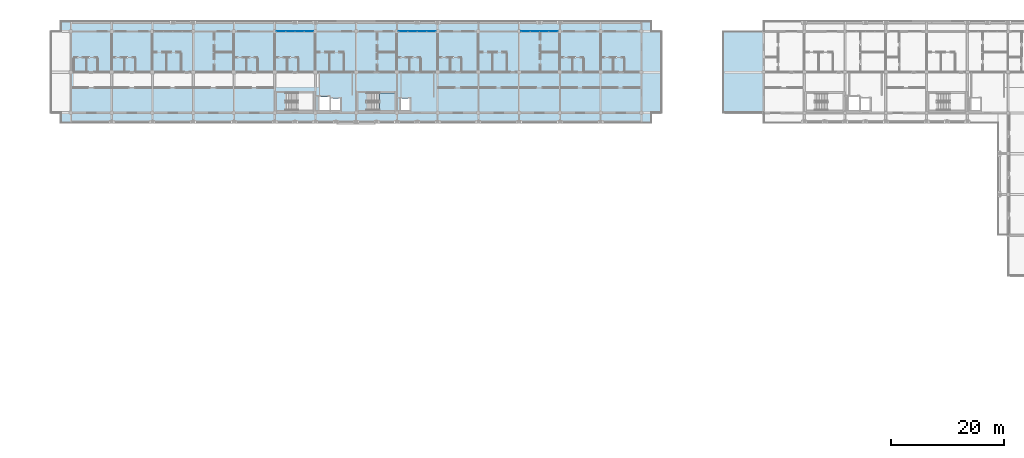
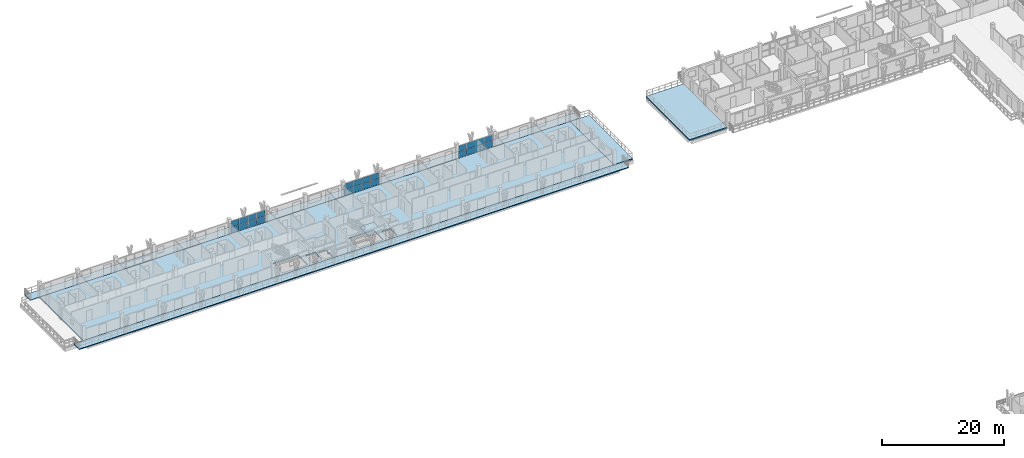
# One storey, part 30 of 73: 24 plates, 6 slabs, 4 elements without a shape of their own.
"""IFC4 building model written with IfcOpenShell, lengths in metres."""

from ifc_helpers import new_model, si_unit, direction, frame, origin, origin_2d, place, context, subcontext, project, spatial, polyline, rectangle, outline, extrude, material, layer, layer_set, type_object, element, aggregate, save


model = new_model("IFC4")

# Units and contexts
model_context = context("Model", 3, precision=1e-05, world=origin(), true_north=direction((0.0, 1.0)))
body_context = subcontext(model_context, "Body", "Model", "MODEL_VIEW")
ifc_project = project(units=[si_unit("LENGTHUNIT", "METRE"), si_unit("AREAUNIT", "SQUARE_METRE"), si_unit("VOLUMEUNIT", "CUBIC_METRE"), si_unit("PLANEANGLEUNIT", "RADIAN"), si_unit("MASSUNIT", "GRAM", prefix="KILO")], contexts=[model_context])

# Site, building, storey
site_placement = place(None, origin())
site = spatial("IfcSite", under=ifc_project, at=site_placement, CompositionType="ELEMENT")
building_placement = place(site_placement, origin())
building = spatial("IfcBuilding", under=site, at=building_placement, Name="Suanplinth Sawtooth Commons", CompositionType="ELEMENT")
storey_placement = place(building_placement, frame((0.0, 0.0, 21.89990234375)))
storey = spatial("IfcBuildingStorey", under=building, at=storey_placement, Name="L06", CompositionType="ELEMENT", Elevation=21.89990234375)

# Curtain wall, plates
ifc_material_1 = material(Name="Anodized aluminium and low-E glazing", Category="aluminium")
curtain_wall_type = type_object("IfcCurtainWallType", Name="CW-06", PredefinedType="USERDEFINED", material=ifc_material_1)
curtain_wall_1_placement = place(storey_placement, origin())
curtain_wall_1 = element("IfcCurtainWall", 1, at=curtain_wall_1_placement, inside=storey, type_object=curtain_wall_type, Name="Curtain Wall CW-L06-A-LOUNGE-5", ObjectType="CURTAIN WALL", PredefinedType="USERDEFINED")
ifc_material_2 = material(Name="Tempered low-E double glazing", Category="glass")
ifc_layer_1 = layer(ifc_material_2, 0.028076171875, Name="Vision low-E insulated glazing unit 28mm")
ifc_layer_set_1 = layer_set([ifc_layer_1], Name="Tempered low-E double glazing")
plate_type = type_object("IfcPlateType", Name="PL-05", PredefinedType="CURTAIN_PANEL", material=ifc_layer_set_1)
plate_1_placement = place(storey_placement, frame((44.34130859375, 122.39990234375, 0.065185546875), z_axis=(0.0, 0.0, 1.0), x_axis=(1.0, 0.0, 0.0)))
plate_1 = element("IfcPlate", 2, at=plate_1_placement, type_object=plate_type, Name="CW-06 panel 1.1", PredefinedType="CURTAIN_PANEL", context=body_context, shape_type="SweptSolid", body=[
    extrude(rectangle(XDim=1.552490234375, YDim=0.028076171875, at=origin_2d()), origin(), (0.0, 0.0, 1.0), 1.16748046875),
])
plate_2_placement = place(storey_placement, frame((44.34130859375, 122.39990234375, 1.297607421875), z_axis=(0.0, 0.0, 1.0), x_axis=(1.0, 0.0, 0.0)))
plate_2 = element("IfcPlate", 3, at=plate_2_placement, type_object=plate_type, Name="CW-06 panel 1.2", PredefinedType="CURTAIN_PANEL", context=body_context, shape_type="SweptSolid", body=[
    extrude(rectangle(XDim=1.552490234375, YDim=0.028076171875, at=origin_2d()), origin(), (0.0, 0.0, 1.0), 1.16748046875),
])
plate_3_placement = place(storey_placement, frame((45.97509765625, 122.39990234375, 0.065185546875), z_axis=(0.0, 0.0, 1.0), x_axis=(1.0, 0.0, 0.0)))
plate_3 = element("IfcPlate", 4, at=plate_3_placement, type_object=plate_type, Name="CW-06 panel 2.1", PredefinedType="CURTAIN_PANEL", context=body_context, shape_type="SweptSolid", body=[
    extrude(rectangle(XDim=1.5849609375, YDim=0.028076171875, at=origin_2d()), origin(), (0.0, 0.0, 1.0), 1.16748046875),
])
plate_4_placement = place(storey_placement, frame((45.97509765625, 122.39990234375, 1.297607421875), z_axis=(0.0, 0.0, 1.0), x_axis=(1.0, 0.0, 0.0)))
plate_4 = element("IfcPlate", 5, at=plate_4_placement, type_object=plate_type, Name="CW-06 panel 2.2", PredefinedType="CURTAIN_PANEL", context=body_context, shape_type="SweptSolid", body=[
    extrude(rectangle(XDim=1.5849609375, YDim=0.028076171875, at=origin_2d()), origin(), (0.0, 0.0, 1.0), 1.16748046875),
])
plate_5_placement = place(storey_placement, frame((47.625, 122.39990234375, 0.065185546875), z_axis=(0.0, 0.0, 1.0), x_axis=(1.0, 0.0, 0.0)))
plate_5 = element("IfcPlate", 6, at=plate_5_placement, type_object=plate_type, Name="CW-06 panel 3.1", PredefinedType="CURTAIN_PANEL", context=body_context, shape_type="SweptSolid", body=[
    extrude(rectangle(XDim=1.5849609375, YDim=0.028076171875, at=origin_2d()), origin(), (0.0, 0.0, 1.0), 1.16748046875),
])
plate_6_placement = place(storey_placement, frame((47.625, 122.39990234375, 1.297607421875), z_axis=(0.0, 0.0, 1.0), x_axis=(1.0, 0.0, 0.0)))
plate_6 = element("IfcPlate", 7, at=plate_6_placement, type_object=plate_type, Name="CW-06 panel 3.2", PredefinedType="CURTAIN_PANEL", context=body_context, shape_type="SweptSolid", body=[
    extrude(rectangle(XDim=1.5849609375, YDim=0.028076171875, at=origin_2d()), origin(), (0.0, 0.0, 1.0), 1.16748046875),
])
plate_7_placement = place(storey_placement, frame((49.2587890625, 122.39990234375, 0.065185546875), z_axis=(0.0, 0.0, 1.0), x_axis=(1.0, 0.0, 0.0)))
plate_7 = element("IfcPlate", 8, at=plate_7_placement, type_object=plate_type, Name="CW-06 panel 4.1", PredefinedType="CURTAIN_PANEL", context=body_context, shape_type="SweptSolid", body=[
    extrude(rectangle(XDim=1.552490234375, YDim=0.028076171875, at=origin_2d()), origin(), (0.0, 0.0, 1.0), 1.16748046875),
])
plate_8_placement = place(storey_placement, frame((49.2587890625, 122.39990234375, 1.297607421875), z_axis=(0.0, 0.0, 1.0), x_axis=(1.0, 0.0, 0.0)))
plate_8 = element("IfcPlate", 9, at=plate_8_placement, type_object=plate_type, Name="CW-06 panel 4.2", PredefinedType="CURTAIN_PANEL", context=body_context, shape_type="SweptSolid", body=[
    extrude(rectangle(XDim=1.552490234375, YDim=0.028076171875, at=origin_2d()), origin(), (0.0, 0.0, 1.0), 1.16748046875),
])
aggregate(curtain_wall_1, [plate_1, plate_2, plate_3, plate_4, plate_5, plate_6, plate_7, plate_8])

curtain_wall_2_placement = place(storey_placement, origin())
curtain_wall_2 = element("IfcCurtainWall", 10, at=curtain_wall_2_placement, inside=storey, type_object=curtain_wall_type, Name="Curtain Wall CW-L06-A-LOUNGE-8", ObjectType="CURTAIN WALL", PredefinedType="USERDEFINED")
plate_9_placement = place(storey_placement, frame((65.941162109375, 122.39990234375, 0.065185546875), z_axis=(0.0, 0.0, 1.0), x_axis=(1.0, 0.0, 0.0)))
plate_9 = element("IfcPlate", 11, at=plate_9_placement, type_object=plate_type, Name="CW-06 panel 1.1", PredefinedType="CURTAIN_PANEL", context=body_context, shape_type="SweptSolid", body=[
    extrude(rectangle(XDim=1.552490234375, YDim=0.028076171875, at=origin_2d()), origin(), (0.0, 0.0, 1.0), 1.16748046875),
])
plate_10_placement = place(storey_placement, frame((65.941162109375, 122.39990234375, 1.297607421875), z_axis=(0.0, 0.0, 1.0), x_axis=(1.0, 0.0, 0.0)))
plate_10 = element("IfcPlate", 12, at=plate_10_placement, type_object=plate_type, Name="CW-06 panel 1.2", PredefinedType="CURTAIN_PANEL", context=body_context, shape_type="SweptSolid", body=[
    extrude(rectangle(XDim=1.552490234375, YDim=0.028076171875, at=origin_2d()), origin(), (0.0, 0.0, 1.0), 1.16748046875),
])
plate_11_placement = place(storey_placement, frame((67.574951171875, 122.39990234375, 0.065185546875), z_axis=(0.0, 0.0, 1.0), x_axis=(1.0, 0.0, 0.0)))
plate_11 = element("IfcPlate", 13, at=plate_11_placement, type_object=plate_type, Name="CW-06 panel 2.1", PredefinedType="CURTAIN_PANEL", context=body_context, shape_type="SweptSolid", body=[
    extrude(rectangle(XDim=1.5849609375, YDim=0.028076171875, at=origin_2d()), origin(), (0.0, 0.0, 1.0), 1.16748046875),
])
plate_12_placement = place(storey_placement, frame((67.574951171875, 122.39990234375, 1.297607421875), z_axis=(0.0, 0.0, 1.0), x_axis=(1.0, 0.0, 0.0)))
plate_12 = element("IfcPlate", 14, at=plate_12_placement, type_object=plate_type, Name="CW-06 panel 2.2", PredefinedType="CURTAIN_PANEL", context=body_context, shape_type="SweptSolid", body=[
    extrude(rectangle(XDim=1.5849609375, YDim=0.028076171875, at=origin_2d()), origin(), (0.0, 0.0, 1.0), 1.16748046875),
])
plate_13_placement = place(storey_placement, frame((69.22509765625, 122.39990234375, 0.065185546875), z_axis=(0.0, 0.0, 1.0), x_axis=(1.0, 0.0, 0.0)))
plate_13 = element("IfcPlate", 15, at=plate_13_placement, type_object=plate_type, Name="CW-06 panel 3.1", PredefinedType="CURTAIN_PANEL", context=body_context, shape_type="SweptSolid", body=[
    extrude(rectangle(XDim=1.5849609375, YDim=0.028076171875, at=origin_2d()), origin(), (0.0, 0.0, 1.0), 1.16748046875),
])
plate_14_placement = place(storey_placement, frame((69.22509765625, 122.39990234375, 1.297607421875), z_axis=(0.0, 0.0, 1.0), x_axis=(1.0, 0.0, 0.0)))
plate_14 = element("IfcPlate", 16, at=plate_14_placement, type_object=plate_type, Name="CW-06 panel 3.2", PredefinedType="CURTAIN_PANEL", context=body_context, shape_type="SweptSolid", body=[
    extrude(rectangle(XDim=1.5849609375, YDim=0.028076171875, at=origin_2d()), origin(), (0.0, 0.0, 1.0), 1.16748046875),
])
plate_15_placement = place(storey_placement, frame((70.858642578125, 122.39990234375, 0.065185546875), z_axis=(0.0, 0.0, 1.0), x_axis=(1.0, 0.0, 0.0)))
plate_15 = element("IfcPlate", 17, at=plate_15_placement, type_object=plate_type, Name="CW-06 panel 4.1", PredefinedType="CURTAIN_PANEL", context=body_context, shape_type="SweptSolid", body=[
    extrude(rectangle(XDim=1.552490234375, YDim=0.028076171875, at=origin_2d()), origin(), (0.0, 0.0, 1.0), 1.16748046875),
])
plate_16_placement = place(storey_placement, frame((70.858642578125, 122.39990234375, 1.297607421875), z_axis=(0.0, 0.0, 1.0), x_axis=(1.0, 0.0, 0.0)))
plate_16 = element("IfcPlate", 18, at=plate_16_placement, type_object=plate_type, Name="CW-06 panel 4.2", PredefinedType="CURTAIN_PANEL", context=body_context, shape_type="SweptSolid", body=[
    extrude(rectangle(XDim=1.552490234375, YDim=0.028076171875, at=origin_2d()), origin(), (0.0, 0.0, 1.0), 1.16748046875),
])
aggregate(curtain_wall_2, [plate_9, plate_10, plate_11, plate_12, plate_13, plate_14, plate_15, plate_16])

curtain_wall_3_placement = place(storey_placement, origin())
curtain_wall_3 = element("IfcCurtainWall", 19, at=curtain_wall_3_placement, inside=storey, type_object=curtain_wall_type, Name="Curtain Wall CW-L06-A-LOUNGE-11", ObjectType="CURTAIN WALL", PredefinedType="USERDEFINED")
plate_17_placement = place(storey_placement, frame((87.541259765625, 122.39990234375, 0.065185546875), z_axis=(0.0, 0.0, 1.0), x_axis=(1.0, 0.0, 0.0)))
plate_17 = element("IfcPlate", 20, at=plate_17_placement, type_object=plate_type, Name="CW-06 panel 1.1", PredefinedType="CURTAIN_PANEL", context=body_context, shape_type="SweptSolid", body=[
    extrude(rectangle(XDim=1.552490234375, YDim=0.028076171875, at=origin_2d()), origin(), (0.0, 0.0, 1.0), 1.16748046875),
])
plate_18_placement = place(storey_placement, frame((87.541259765625, 122.39990234375, 1.297607421875), z_axis=(0.0, 0.0, 1.0), x_axis=(1.0, 0.0, 0.0)))
plate_18 = element("IfcPlate", 21, at=plate_18_placement, type_object=plate_type, Name="CW-06 panel 1.2", PredefinedType="CURTAIN_PANEL", context=body_context, shape_type="SweptSolid", body=[
    extrude(rectangle(XDim=1.552490234375, YDim=0.028076171875, at=origin_2d()), origin(), (0.0, 0.0, 1.0), 1.16748046875),
])
plate_19_placement = place(storey_placement, frame((89.175048828125, 122.39990234375, 0.065185546875), z_axis=(0.0, 0.0, 1.0), x_axis=(1.0, 0.0, 0.0)))
plate_19 = element("IfcPlate", 22, at=plate_19_placement, type_object=plate_type, Name="CW-06 panel 2.1", PredefinedType="CURTAIN_PANEL", context=body_context, shape_type="SweptSolid", body=[
    extrude(rectangle(XDim=1.5849609375, YDim=0.028076171875, at=origin_2d()), origin(), (0.0, 0.0, 1.0), 1.16748046875),
])
plate_20_placement = place(storey_placement, frame((89.175048828125, 122.39990234375, 1.297607421875), z_axis=(0.0, 0.0, 1.0), x_axis=(1.0, 0.0, 0.0)))
plate_20 = element("IfcPlate", 23, at=plate_20_placement, type_object=plate_type, Name="CW-06 panel 2.2", PredefinedType="CURTAIN_PANEL", context=body_context, shape_type="SweptSolid", body=[
    extrude(rectangle(XDim=1.5849609375, YDim=0.028076171875, at=origin_2d()), origin(), (0.0, 0.0, 1.0), 1.16748046875),
])
plate_21_placement = place(storey_placement, frame((90.824951171875, 122.39990234375, 0.065185546875), z_axis=(0.0, 0.0, 1.0), x_axis=(1.0, 0.0, 0.0)))
plate_21 = element("IfcPlate", 24, at=plate_21_placement, type_object=plate_type, Name="CW-06 panel 3.1", PredefinedType="CURTAIN_PANEL", context=body_context, shape_type="SweptSolid", body=[
    extrude(rectangle(XDim=1.5849609375, YDim=0.028076171875, at=origin_2d()), origin(), (0.0, 0.0, 1.0), 1.16748046875),
])
plate_22_placement = place(storey_placement, frame((90.824951171875, 122.39990234375, 1.297607421875), z_axis=(0.0, 0.0, 1.0), x_axis=(1.0, 0.0, 0.0)))
plate_22 = element("IfcPlate", 25, at=plate_22_placement, type_object=plate_type, Name="CW-06 panel 3.2", PredefinedType="CURTAIN_PANEL", context=body_context, shape_type="SweptSolid", body=[
    extrude(rectangle(XDim=1.5849609375, YDim=0.028076171875, at=origin_2d()), origin(), (0.0, 0.0, 1.0), 1.16748046875),
])
plate_23_placement = place(storey_placement, frame((92.458740234375, 122.39990234375, 0.065185546875), z_axis=(0.0, 0.0, 1.0), x_axis=(1.0, 0.0, 0.0)))
plate_23 = element("IfcPlate", 26, at=plate_23_placement, type_object=plate_type, Name="CW-06 panel 4.1", PredefinedType="CURTAIN_PANEL", context=body_context, shape_type="SweptSolid", body=[
    extrude(rectangle(XDim=1.552490234375, YDim=0.028076171875, at=origin_2d()), origin(), (0.0, 0.0, 1.0), 1.16748046875),
])
plate_24_placement = place(storey_placement, frame((92.458740234375, 122.39990234375, 1.297607421875), z_axis=(0.0, 0.0, 1.0), x_axis=(1.0, 0.0, 0.0)))
plate_24 = element("IfcPlate", 27, at=plate_24_placement, type_object=plate_type, Name="CW-06 panel 4.2", PredefinedType="CURTAIN_PANEL", context=body_context, shape_type="SweptSolid", body=[
    extrude(rectangle(XDim=1.552490234375, YDim=0.028076171875, at=origin_2d()), origin(), (0.0, 0.0, 1.0), 1.16748046875),
])
aggregate(curtain_wall_3, [plate_17, plate_18, plate_19, plate_20, plate_21, plate_22, plate_23, plate_24])

# Slabs
ifc_material_3 = material(Name="Precast concrete C40/50", Category="concrete")
ifc_layer_2 = layer(ifc_material_3, 0.179931640625, Name="Wrap-around cantilevered precast balcony slab 180mm")
ifc_layer_set_2 = layer_set([ifc_layer_2], Name="Precast concrete C40/50")
slab_type_1 = type_object("IfcSlabType", Name="S-BL01", PredefinedType="FLOOR", material=ifc_layer_set_2)
slab_1_placement = place(storey_placement, frame((0.0, 0.0, -0.179931640625)))
element("IfcSlab", 28, at=slab_1_placement, inside=storey, type_object=slab_type_1, Name="L06 Block A Wrap-Around Balcony N", PredefinedType="FLOOR", context=body_context, shape_type="SweptSolid", body=[
    extrude(outline(polyline([(5.39990234375, 124.199951171875), (109.800048828125, 124.199951171875), (109.800048828125, 122.39990234375), (5.39990234375, 122.39990234375), (5.39990234375, 124.199951171875)])), origin(), (0.0, 0.0, 1.0), 0.179931640625),
])
slab_2_placement = place(storey_placement, frame((0.0, 0.0, -0.179931640625)))
element("IfcSlab", 29, at=slab_2_placement, inside=storey, type_object=slab_type_1, Name="L06 Block A Wrap-Around Balcony S", PredefinedType="FLOOR", context=body_context, shape_type="SweptSolid", body=[
    extrude(outline(polyline([(109.800048828125, 106.199951171875), (5.39990234375, 106.199951171875), (5.39990234375, 108.0), (109.800048828125, 108.0), (109.800048828125, 106.199951171875)])), origin(), (0.0, 0.0, 1.0), 0.179931640625),
])
ifc_layer_3 = layer(ifc_material_3, 0.239990234375, Name="Precast hollow-core + topping floor slab 240mm")
ifc_layer_set_3 = layer_set([ifc_layer_3], Name="Precast concrete C40/50")
slab_type_2 = type_object("IfcSlabType", Name="S-FL02", PredefinedType="FLOOR", material=ifc_layer_set_3)
slab_3_placement = place(storey_placement, frame((0.0, 0.0, -0.239990234375)))
element("IfcSlab", 30, at=slab_3_placement, inside=storey, type_object=slab_type_2, Name="L06 Block A Structural Floor Plate", PredefinedType="FLOOR", context=body_context, shape_type="SweptSolid", body=[
    extrude(outline(polyline([(7.199951171875, 108.0), (108.0, 108.0), (108.0, 122.39990234375), (7.199951171875, 122.39990234375), (7.199951171875, 108.0)]), holes=[polyline([(45.2900390625, 108.449951171875), (50.050048828125, 108.449951171875), (50.050048828125, 111.550048828125), (45.2900390625, 111.550048828125), (45.2900390625, 108.449951171875)]), polyline([(51.050048828125, 108.449951171875), (52.85009765625, 108.449951171875), (52.85009765625, 110.85009765625), (51.050048828125, 110.85009765625), (51.050048828125, 108.449951171875)]), polyline([(53.199951171875, 108.449951171875), (54.800048828125, 108.449951171875), (54.800048828125, 110.550048828125), (53.199951171875, 110.550048828125), (53.199951171875, 108.449951171875)]), polyline([(59.68994140625, 108.449951171875), (64.449951171875, 108.449951171875), (64.449951171875, 111.550048828125), (59.68994140625, 111.550048828125), (59.68994140625, 108.449951171875)]), polyline([(65.449951171875, 108.449951171875), (67.050048828125, 108.449951171875), (67.050048828125, 110.550048828125), (65.449951171875, 110.550048828125), (65.449951171875, 108.449951171875)])]), origin(), (0.0, 0.0, 1.0), 0.239990234375),
])

# Stair, slab
ifc_material_4 = material(Name="Concrete C40/50", Category="concrete")
stair_type = type_object("IfcStairType", Name="ST-03", PredefinedType="USERDEFINED", material=ifc_material_4)
stair_placement = place(storey_placement, origin())
stair = element("IfcStair", 31, at=stair_placement, inside=storey, type_object=stair_type, Name="L06 Exit Stair ST-N2", ObjectType="TWO_RETURN_STAIR", PredefinedType="USERDEFINED")
ifc_layer_4 = layer(ifc_material_4, 0.199951171875, Name="Reinforced concrete stair and ramp landing slab 200mm")
ifc_layer_set_4 = layer_set([ifc_layer_4], Name="Concrete C40/50")
slab_type_3 = type_object("IfcSlabType", Name="S-LD01", PredefinedType="LANDING", material=ifc_layer_set_4)
slab_4_placement = place(storey_placement, frame((0.0, 0.0, 1.400146484375)))
slab_4 = element("IfcSlab", 32, at=slab_4_placement, type_object=slab_type_3, Name="ST-03 landing 1", PredefinedType="LANDING", context=body_context, shape_type="SweptSolid", body=[
    extrude(outline(polyline([(61.72998046875, 108.449951171875), (64.449951171875, 108.449951171875), (64.449951171875, 111.550048828125), (61.72998046875, 111.550048828125), (61.72998046875, 108.449951171875)])), origin(), (0.0, 0.0, 1.0), 0.199951171875),
])
aggregate(stair, [slab_4])

# Slabs
ifc_layer_5 = layer(ifc_material_4, 0.239990234375, Name="Stepped sky-terrace & courtyard garden slab 240mm")
ifc_layer_set_5 = layer_set([ifc_layer_5], Name="Concrete C40/50")
slab_type_4 = type_object("IfcSlabType", Name="S-TR01", PredefinedType="FLOOR", material=ifc_layer_set_5)
slab_5_placement = place(storey_placement, frame((0.0, 0.0, -0.239990234375)))
element("IfcSlab", 33, at=slab_5_placement, inside=storey, type_object=slab_type_4, Name="L06 Block A Stepped Sky-Terrace 2", PredefinedType="FLOOR", context=body_context, shape_type="SweptSolid", body=[
    extrude(outline(polyline([(111.60009765625, 122.39990234375), (111.60009765625, 108.0), (108.0, 108.0), (108.0, 122.39990234375), (111.60009765625, 122.39990234375)])), origin(), (0.0, 0.0, 1.0), 0.239990234375),
])
slab_6_placement = place(storey_placement, frame((0.0, 0.0, -0.239990234375)))
element("IfcSlab", 34, at=slab_6_placement, inside=storey, type_object=slab_type_4, Name="L06 Block B Stepped Sky-Terrace 1", PredefinedType="FLOOR", context=body_context, shape_type="SweptSolid", body=[
    extrude(outline(polyline([(122.39990234375, 108.0), (122.39990234375, 122.39990234375), (129.60009765625, 122.39990234375), (129.60009765625, 108.0), (122.39990234375, 108.0)])), origin(), (0.0, 0.0, 1.0), 0.239990234375),
])

save(model, "model.ifc")
